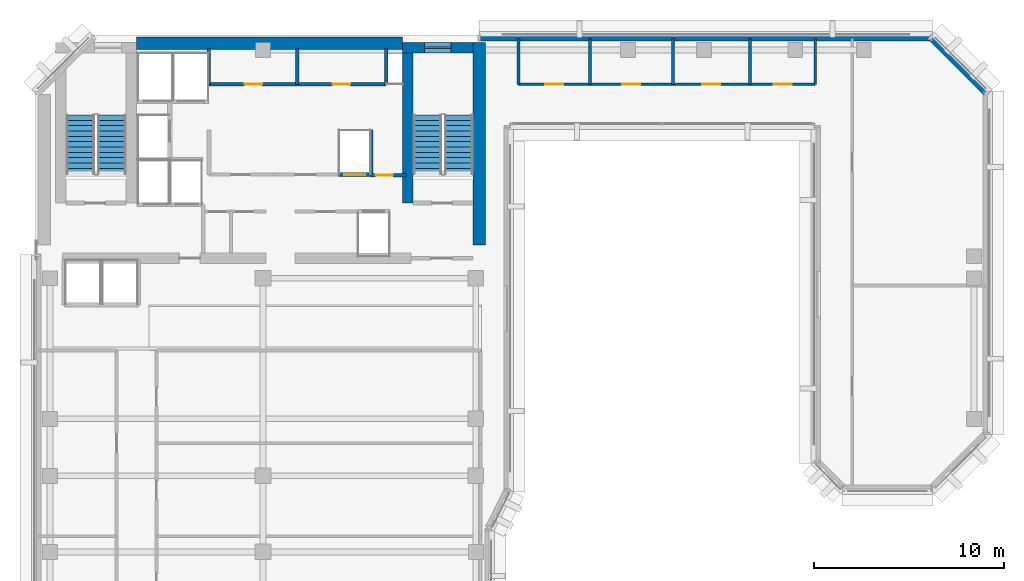
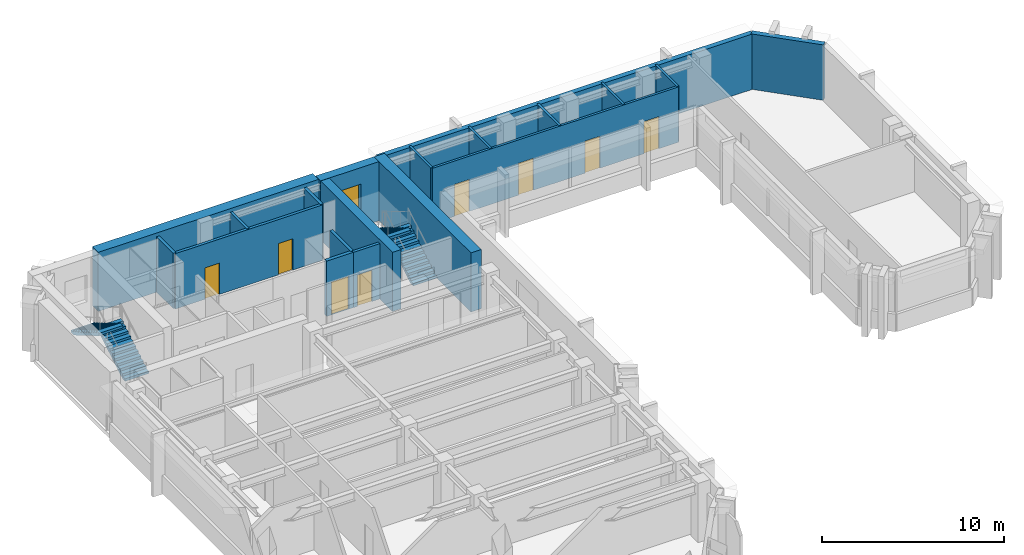
# One storey, part 7 of 11: 19 walls, 8 doors, 4 stair flights, 1 window, 9 openings, 2 elements without a shape of their own.
"""IFC4 building model written with IfcOpenShell, lengths in metres."""

from ifc_helpers import new_model, si_unit, direction, frame, frame_2d, origin, place, context, subcontext, project, spatial, polyline, rectangle, outline, extrude, material, layer, layer_set, type_object, element, fill, aggregate, save


model = new_model("IFC4")

# Units and contexts
model_context = context("Model", 3, precision=1e-05, world=origin(), true_north=direction((0.0, 1.0)))
body_context = subcontext(model_context, "Body", "Model", "MODEL_VIEW")
ifc_project = project(units=[si_unit("LENGTHUNIT", "METRE"), si_unit("AREAUNIT", "SQUARE_METRE"), si_unit("VOLUMEUNIT", "CUBIC_METRE"), si_unit("PLANEANGLEUNIT", "RADIAN"), si_unit("MASSUNIT", "GRAM", prefix="KILO")], contexts=[model_context])

# Site, building, storey
site_placement = place(None, origin())
site = spatial("IfcSite", under=ifc_project, at=site_placement, CompositionType="ELEMENT")
building_placement = place(site_placement, origin())
building = spatial("IfcBuilding", under=site, at=building_placement, Name="Kefirva Bronze Tower", CompositionType="ELEMENT")
storey_placement = place(building_placement, frame((0.0, 0.0, 231.659912109375)))
storey = spatial("IfcBuildingStorey", under=building, at=storey_placement, Name="L56", CompositionType="ELEMENT", Elevation=231.659912109375)

# Wall, openings, doors
ifc_material_1 = material(Name="Gypsum acoustic partition")
ifc_layer_1 = layer(ifc_material_1, 0.14990234375, Name="Gypsum acoustic partition")
ifc_layer_set_1 = layer_set([ifc_layer_1], Name="Gypsum acoustic partition")
wall_type_1 = type_object("IfcWallType", Name="Executive Suite Partition 150mm", PredefinedType="PARTITIONING", material=ifc_layer_set_1)
wall_1_placement = place(storey_placement, frame((25.449951171875, 43.39990234375, 0.0), z_axis=(0.0, 0.0, 1.0), x_axis=(1.0, 0.0, 0.0)))
wall_1 = element("IfcWall", 1, at=wall_1_placement, inside=storey, type_object=wall_type_1, Name="L56 Partition W-L56-PBRGN", PredefinedType="PARTITIONING", context=body_context, shape_type="SweptSolid", body=[
    extrude(rectangle(XDim=15.60009765625, YDim=0.14990234375, at=frame_2d((7.800048828125, 0.0))), origin(), (0.0, 0.0, 1.0), 3.710205078125),
])
opening_1_placement = place(wall_1_placement, frame((1.39697265625, 0.0, 0.0)))
opening_1 = element("IfcOpeningElement", 2, at=opening_1_placement, cuts=wall_1, Name="Opening L56-D-PBN1", PredefinedType="OPENING", context=body_context, shape_type="SweptSolid", body=[
    extrude(rectangle(XDim=0.949951171875, YDim=2.14990234375, at=frame_2d((0.47509765625, 1.074951171875))), frame((0.0, 0.0849609375, 0.0), z_axis=(0.0, -1.0, 0.0), x_axis=(1.0, 0.0, 0.0)), (0.0, 0.0, 1.0), 0.169921875),
])
opening_2_placement = place(wall_1_placement, frame((5.452880859375, 0.0, 0.0)))
opening_2 = element("IfcOpeningElement", 3, at=opening_2_placement, cuts=wall_1, Name="Opening L56-D-PBN2", PredefinedType="OPENING", context=body_context, shape_type="SweptSolid", body=[
    extrude(rectangle(XDim=0.949951171875, YDim=2.14990234375, at=frame_2d((0.47509765625, 1.074951171875))), frame((0.0, 0.0849609375, 0.0), z_axis=(0.0, -1.0, 0.0), x_axis=(1.0, 0.0, 0.0)), (0.0, 0.0, 1.0), 0.169921875),
])
opening_3_placement = place(wall_1_placement, frame((9.6650390625, 0.0, 0.0)))
opening_3 = element("IfcOpeningElement", 4, at=opening_3_placement, cuts=wall_1, Name="Opening L56-D-PBN3", PredefinedType="OPENING", context=body_context, shape_type="SweptSolid", body=[
    extrude(rectangle(XDim=0.949951171875, YDim=2.14990234375, at=frame_2d((0.47509765625, 1.074951171875))), frame((0.0, 0.0849609375, 0.0), z_axis=(0.0, -1.0, 0.0), x_axis=(1.0, 0.0, 0.0)), (0.0, 0.0, 1.0), 0.169921875),
])
opening_4_placement = place(wall_1_placement, frame((13.408935546875, 0.0, 0.0)))
opening_4 = element("IfcOpeningElement", 5, at=opening_4_placement, cuts=wall_1, Name="Opening L56-D-PBN4", PredefinedType="OPENING", context=body_context, shape_type="SweptSolid", body=[
    extrude(rectangle(XDim=0.949951171875, YDim=2.14990234375, at=frame_2d((0.47509765625, 1.074951171875))), frame((0.0, 0.0849609375, 0.0), z_axis=(0.0, -1.0, 0.0), x_axis=(1.0, 0.0, 0.0)), (0.0, 0.0, 1.0), 0.169921875),
])
ifc_material_2 = material(Name="Acoustic hardwood oak", Category="wood")
door_type_1 = type_object("IfcDoorType", Name="Office & Meeting Room Door 950x2150", OperationType="NOTDEFINED", PredefinedType="DOOR", material=ifc_material_2)
door_1_placement = place(opening_1_placement, origin())
door_1 = element("IfcDoor", 6, at=door_1_placement, inside=storey, type_object=door_type_1, Name="Door L56-D-PBN1", OperationType="SINGLE_SWING_LEFT", OverallHeight=2.14990234375, OverallWidth=0.949951171875, PredefinedType="DOOR", context=body_context, shape_type="SweptSolid", body=[
    extrude(rectangle(XDim=0.949951171875, YDim=2.14990234375, at=frame_2d((0.47509765625, 1.074951171875))), frame((0.0, 0.02490234375, 0.0), z_axis=(0.0, -1.0, 0.0), x_axis=(1.0, 0.0, 0.0)), (0.0, 0.0, 1.0), 0.050048828125),
])
fill(opening_1, door_1)
door_2_placement = place(opening_2_placement, origin())
door_2 = element("IfcDoor", 7, at=door_2_placement, inside=storey, type_object=door_type_1, Name="Door L56-D-PBN2", OperationType="SINGLE_SWING_RIGHT", OverallHeight=2.14990234375, OverallWidth=0.949951171875, PredefinedType="DOOR", context=body_context, shape_type="SweptSolid", body=[
    extrude(rectangle(XDim=0.949951171875, YDim=2.14990234375, at=frame_2d((0.47509765625, 1.074951171875))), frame((0.0, 0.02490234375, 0.0), z_axis=(0.0, -1.0, 0.0), x_axis=(1.0, 0.0, 0.0)), (0.0, 0.0, 1.0), 0.050048828125),
])
fill(opening_2, door_2)
door_3_placement = place(opening_3_placement, origin())
door_3 = element("IfcDoor", 8, at=door_3_placement, inside=storey, type_object=door_type_1, Name="Door L56-D-PBN3", OperationType="SINGLE_SWING_LEFT", OverallHeight=2.14990234375, OverallWidth=0.949951171875, PredefinedType="DOOR", context=body_context, shape_type="SweptSolid", body=[
    extrude(rectangle(XDim=0.949951171875, YDim=2.14990234375, at=frame_2d((0.47509765625, 1.074951171875))), frame((0.0, 0.02490234375, 0.0), z_axis=(0.0, -1.0, 0.0), x_axis=(1.0, 0.0, 0.0)), (0.0, 0.0, 1.0), 0.050048828125),
])
fill(opening_3, door_3)
door_4_placement = place(opening_4_placement, origin())
door_4 = element("IfcDoor", 9, at=door_4_placement, inside=storey, type_object=door_type_1, Name="Door L56-D-PBN4", OperationType="SINGLE_SWING_RIGHT", OverallHeight=2.14990234375, OverallWidth=0.949951171875, PredefinedType="DOOR", context=body_context, shape_type="SweptSolid", body=[
    extrude(rectangle(XDim=0.949951171875, YDim=2.14990234375, at=frame_2d((0.47509765625, 1.074951171875))), frame((0.0, 0.02490234375, 0.0), z_axis=(0.0, -1.0, 0.0), x_axis=(1.0, 0.0, 0.0)), (0.0, 0.0, 1.0), 0.050048828125),
])
fill(opening_4, door_4)

# Walls
for number, where, z_axis, x_axis, name in (
    (10, (25.449951171875, 43.39990234375, 0.0), (0.0, 0.0, 1.0), (0.0, 1.0, 0.0), "L56 Partition W-L56-PBRGW"),
    (11, (41.050048828125, 43.39990234375, 0.0), (0.0, 0.0, 1.0), (0.0, 1.0, 0.0), "L56 Partition W-L56-PBRGE"),
    (12, (29.194091796875, 43.39990234375, 0.0), (0.0, 0.0, 1.0), (0.0, 1.0, 0.0), "L56 Partition W-L56-PBND1"),
    (13, (33.56201171875, 43.39990234375, 0.0), (0.0, 0.0, 1.0), (0.0, 1.0, 0.0), "L56 Partition W-L56-PBND2"),
    (14, (37.617919921875, 43.39990234375, 0.0), (0.0, 0.0, 1.0), (0.0, 1.0, 0.0), "L56 Partition W-L56-PBND3"),
):
    element("IfcWall", number, at=place(storey_placement, frame(where, z_axis=z_axis, x_axis=x_axis)), inside=storey, type_object=wall_type_1, Name=name, PredefinedType="PARTITIONING", context=body_context, shape_type="SweptSolid", body=[
        extrude(rectangle(XDim=2.41015625, YDim=0.14990234375, at=frame_2d((1.205078125, 0.0))), origin(), (0.0, 0.0, 1.0), 3.710205078125),
    ])
ifc_material_3 = material(Name="Gypsum fireboard shaftwall")
ifc_layer_2 = layer(ifc_material_3, 0.219970703125, Name="Gypsum fireboard shaftwall")
ifc_layer_set_2 = layer_set([ifc_layer_2], Name="Gypsum fireboard shaftwall")
wall_type_2 = type_object("IfcWallType", Name="Fire-Rated Shaft Enclosure Wall 220mm", PredefinedType="PARTITIONING", material=ifc_layer_set_2)
wall_2_placement = place(storey_placement, frame((17.679931640625, 38.64990234375, 0.0), z_axis=(0.0, 0.0, 1.0), x_axis=(0.0, 1.0, 0.0)))
element("IfcWall", 15, at=wall_2_placement, inside=storey, type_object=wall_type_2, Name="L56 Partition W-L56-HP2E", PredefinedType="PARTITIONING", context=body_context, shape_type="SweptSolid", body=[
    extrude(rectangle(XDim=2.35009765625, YDim=0.199951171875, at=frame_2d((1.175048828125, 0.0))), origin(), (0.0, 0.0, 1.0), 3.710205078125),
])

# Wall, opening, door
wall_3_placement = place(storey_placement, frame((15.97998046875, 38.64990234375, 0.0), z_axis=(0.0, 0.0, 1.0), x_axis=(1.0, 0.0, 0.0)))
wall_3 = element("IfcWall", 16, at=wall_3_placement, inside=storey, type_object=wall_type_2, Name="L56 Partition W-L56-HPN", PredefinedType="PARTITIONING", context=body_context, shape_type="SweptSolid", body=[
    extrude(rectangle(XDim=1.719970703125, YDim=0.219970703125, at=frame_2d((0.85986328125, 0.0))), origin(), (0.0, 0.0, 1.0), 3.710205078125),
])
opening_5_placement = place(wall_3_placement, frame((0.300048828125, 0.0, 0.0)))
opening_5 = element("IfcOpeningElement", 17, at=opening_5_placement, cuts=wall_3, Name="Opening L56-LD-HP2", PredefinedType="OPENING", context=body_context, shape_type="SweptSolid", body=[
    extrude(rectangle(XDim=1.10009765625, YDim=2.199951171875, at=frame_2d((0.550048828125, 1.10009765625))), frame((0.0, 0.1201171875, 0.0), z_axis=(0.0, -1.0, 0.0), x_axis=(1.0, 0.0, 0.0)), (0.0, 0.0, 1.0), 0.239990234375),
])
ifc_material_4 = material(Name="Stainless steel 316", Category="steel")
door_type_2 = type_object("IfcDoorType", Name="Passenger Lift Sliding Landing Door 1100x2200", OperationType="SLIDING_TO_LEFT", PredefinedType="DOOR", material=ifc_material_4)
door_5_placement = place(opening_5_placement, origin())
door_5 = element("IfcDoor", 18, at=door_5_placement, inside=storey, type_object=door_type_2, Name="Door L56-LD-HP2", OperationType="SLIDING_TO_LEFT", OverallHeight=2.199951171875, OverallWidth=1.10009765625, PredefinedType="DOOR", context=body_context, shape_type="SweptSolid", body=[
    extrude(rectangle(XDim=1.10009765625, YDim=2.199951171875, at=frame_2d((0.550048828125, 1.10009765625))), frame((0.0, 0.02490234375, 0.0), z_axis=(0.0, -1.0, 0.0), x_axis=(1.0, 0.0, 0.0)), (0.0, 0.0, 1.0), 0.050048828125),
])
fill(opening_5, door_5)

ifc_material_5 = material(Name="Gypsum fireboard barrier")
ifc_layer_3 = layer(ifc_material_5, 0.199951171875, Name="Gypsum fireboard barrier")
ifc_layer_set_3 = layer_set([ifc_layer_3], Name="Gypsum fireboard barrier")
wall_type_3 = type_object("IfcWallType", Name="Firefighting Lobby Barrier Wall 200mm", PredefinedType="PARTITIONING", material=ifc_layer_set_3)
wall_4_placement = place(storey_placement, frame((17.679931640625, 38.6201171875, 0.0), z_axis=(0.0, 0.0, 1.0), x_axis=(1.0, 0.0, 0.0)))
wall_4 = element("IfcWall", 19, at=wall_4_placement, inside=storey, type_object=wall_type_3, Name="L56 Partition W-L56-CPASS", PredefinedType="PARTITIONING", context=body_context, shape_type="SweptSolid", body=[
    extrude(rectangle(XDim=1.840087890625, YDim=0.179931640625, at=frame_2d((0.919921875, 0.0))), origin(), (0.0, 0.0, 1.0), 3.710205078125),
])
opening_6_placement = place(wall_4_placement, frame((0.239990234375, 0.0, 0.0)))
opening_6 = element("IfcOpeningElement", 20, at=opening_6_placement, cuts=wall_4, Name="Opening L56-D-CPAS", PredefinedType="OPENING", context=body_context, shape_type="SweptSolid", body=[
    extrude(rectangle(XDim=0.919921875, YDim=2.10009765625, at=frame_2d((0.4599609375, 1.050048828125))), frame((0.0, 0.10009765625, 0.0), z_axis=(0.0, -1.0, 0.0), x_axis=(1.0, 0.0, 0.0)), (0.0, 0.0, 1.0), 0.199951171875),
])
ifc_material_6 = material(Name="Moisture-resistant timber", Category="wood")
door_type_3 = type_object("IfcDoorType", Name="Accessible Sanitary & WC Door 920x2100", OperationType="NOTDEFINED", PredefinedType="DOOR", material=ifc_material_6)
door_6_placement = place(opening_6_placement, origin())
door_6 = element("IfcDoor", 21, at=door_6_placement, inside=storey, type_object=door_type_3, Name="Door L56-D-CPAS", OperationType="SINGLE_SWING_RIGHT", OverallHeight=2.10009765625, OverallWidth=0.919921875, PredefinedType="DOOR", context=body_context, shape_type="SweptSolid", body=[
    extrude(rectangle(XDim=0.919921875, YDim=2.10009765625, at=frame_2d((0.4599609375, 1.050048828125))), frame((0.0, 0.02490234375, 0.0), z_axis=(0.0, -1.0, 0.0), x_axis=(1.0, 0.0, 0.0)), (0.0, 0.0, 1.0), 0.050048828125),
])
fill(opening_6, door_6)

# Walls
ifc_material_7 = material(Name="Precast concrete C40/50", Category="concrete")
ifc_layer_4 = layer(ifc_material_7, 0.320068359375, Name="Precast concrete C40/50")
ifc_layer_set_4 = layer_set([ifc_layer_4], Name="Precast concrete C40/50")
wall_type_4 = type_object("IfcWallType", Name="Precast Insulated Exterior Wall 320mm", PredefinedType="SOLIDWALL", material=ifc_layer_set_4)
wall_5_placement = place(storey_placement, frame((50.048095703125, 42.92578125, 0.0), z_axis=(0.0, 0.0, 1.0), x_axis=(-0.707136318428, 0.707077242712, 0.0)))
element("IfcWall", 22, at=wall_5_placement, inside=storey, type_object=wall_type_4, Name="L56 Exterior Facade Wall 10", PredefinedType="SOLIDWALL", context=body_context, shape_type="SweptSolid", body=[
    extrude(rectangle(XDim=4.132568359375, YDim=0.320068359375, at=frame_2d((2.06640625, 0.0))), origin(), (0.0, 0.0, 1.0), 3.710205078125),
])
wall_6_placement = place(storey_placement, frame((47.14501953125, 45.840087890625, 0.0), z_axis=(0.0, 0.0, 1.0), x_axis=(-1.0, 0.0, 0.0)))
element("IfcWall", 23, at=wall_6_placement, inside=storey, type_object=wall_type_4, Name="L56 Exterior Facade Wall 11", PredefinedType="SOLIDWALL", context=body_context, shape_type="SweptSolid", body=[
    extrude(rectangle(XDim=23.739990234375, YDim=0.320068359375, at=frame_2d((11.8701171875, 0.0))), origin(), (0.0, 0.0, 1.0), 3.710205078125),
])

# Wall, opening, window
ifc_material_8 = material(Name="Concrete C50/60", Category="concrete")
ifc_layer_5 = layer(ifc_material_8, 0.550048828125, Name="Concrete C50/60")
ifc_layer_set_5 = layer_set([ifc_layer_5], Name="Concrete C50/60")
wall_type_5 = type_object("IfcWallType", Name="RC Rear Core Exterior Wall 550mm", PredefinedType="SHEAR", material=ifc_layer_set_5)
wall_7_placement = place(storey_placement, frame((19.35009765625, 45.320068359375, 0.0), z_axis=(0.0, 0.0, 1.0), x_axis=(1.0, 0.0, 0.0)))
wall_7 = element("IfcWall", 24, at=wall_7_placement, inside=storey, type_object=wall_type_5, Name="L56 Stair 2 North Shear Wall", PredefinedType="SHEAR", context=body_context, shape_type="SweptSolid", body=[
    extrude(rectangle(XDim=3.68994140625, YDim=0.550048828125, at=frame_2d((1.844970703125, 0.0))), origin(), (0.0, 0.0, 1.0), 3.960205078125),
])
opening_7_placement = place(wall_7_placement, frame((1.14990234375, 0.0, 1.050048828125)))
opening_7 = element("IfcOpeningElement", 25, at=opening_7_placement, cuts=wall_7, Name="Opening WN-03", PredefinedType="OPENING", context=body_context, shape_type="SweptSolid", body=[
    extrude(rectangle(XDim=1.39990234375, YDim=1.800048828125, at=frame_2d((0.699951171875, 0.89990234375))), frame((0.0, 0.28515625, 0.0), z_axis=(0.0, -1.0, 0.0), x_axis=(1.0, 0.0, 0.0)), (0.0, 0.0, 1.0), 0.570068359375),
])
ifc_material_9 = material(Name="Laminated low-E double glazing", Category="glass")
window_type = type_object("IfcWindowType", Name="Rear-Core Stair Daylight Window 1400x1800", PartitioningType="SINGLE_PANEL", PredefinedType="WINDOW", material=ifc_material_9)
window_placement = place(opening_7_placement, origin())
window = element("IfcWindow", 26, at=window_placement, inside=storey, type_object=window_type, Name="L56 Stair 2 Daylight Window", OverallHeight=1.800048828125, OverallWidth=1.39990234375, PartitioningType="SINGLE_PANEL", PredefinedType="WINDOW", context=body_context, shape_type="SweptSolid", body=[
    extrude(rectangle(XDim=1.39990234375, YDim=1.800048828125, at=frame_2d((0.699951171875, 0.89990234375))), frame((0.0, 0.030029296875, 0.0), z_axis=(0.0, -1.0, 0.0), x_axis=(1.0, 0.0, 0.0)), (0.0, 0.0, 1.0), 0.06005859375),
])
fill(opening_7, window)

# Walls
ifc_layer_6 = layer(ifc_material_8, 0.64990234375, Name="Concrete C50/60")
ifc_layer_set_6 = layer_set([ifc_layer_6], Name="Concrete C50/60")
wall_type_6 = type_object("IfcWallType", Name="RC Rear Core Exterior Wall 650mm", PredefinedType="SHEAR", material=ifc_layer_set_6)
wall_8_placement = place(storey_placement, frame((5.360107421875, 45.550048828125, 0.0), z_axis=(0.0, 0.0, 1.0), x_axis=(1.0, 0.0, 0.0)))
element("IfcWall", 27, at=wall_8_placement, inside=storey, type_object=wall_type_6, Name="L56 Rear Core North Shear Wall", PredefinedType="SHEAR", context=body_context, shape_type="SweptSolid", body=[
    extrude(rectangle(XDim=13.97998046875, YDim=0.64990234375, at=frame_2d((6.989990234375, 0.0))), origin(), (0.0, 0.0, 1.0), 3.960205078125),
])
ifc_layer_7 = layer(ifc_material_8, 0.550048828125, Name="Concrete C50/60")
ifc_layer_set_7 = layer_set([ifc_layer_7], Name="Concrete C50/60")
wall_type_7 = type_object("IfcWallType", Name="RC Rear Core Interior Wall 550mm", PredefinedType="SHEAR", material=ifc_layer_set_7)
wall_9_placement = place(storey_placement, frame((19.6201171875, 37.14990234375, 0.0), z_axis=(0.0, 0.0, 1.0), x_axis=(0.0, 1.0, 0.0)))
element("IfcWall", 28, at=wall_9_placement, inside=storey, type_object=wall_type_7, Name="L56 Stair 2 West Shear Wall", PredefinedType="SHEAR", context=body_context, shape_type="SweptSolid", body=[
    extrude(rectangle(XDim=7.89013671875, YDim=0.550048828125, at=frame_2d((3.945068359375, 0.0))), origin(), (0.0, 0.0, 1.0), 3.960205078125),
])
ifc_layer_8 = layer(ifc_material_8, 0.64990234375, Name="Concrete C50/60")
ifc_layer_set_8 = layer_set([ifc_layer_8], Name="Concrete C50/60")
wall_type_8 = type_object("IfcWallType", Name="RC Rear Core Interior Wall 650mm", PredefinedType="SHEAR", material=ifc_layer_set_8)
wall_10_placement = place(storey_placement, frame((23.375, 34.949951171875, 0.0), z_axis=(0.0, 0.0, 1.0), x_axis=(0.0, 1.0, 0.0)))
element("IfcWall", 29, at=wall_10_placement, inside=storey, type_object=wall_type_8, Name="L56 Rear Core East Shear Wall", PredefinedType="SHEAR", context=body_context, shape_type="SweptSolid", body=[
    extrude(rectangle(XDim=10.64013671875, YDim=0.64990234375, at=frame_2d((5.320068359375, 0.0))), origin(), (0.0, 0.0, 1.0), 3.960205078125),
])

# Wall, openings, doors
ifc_material_10 = material(Name="Moisture-resistant partition")
ifc_layer_9 = layer(ifc_material_10, 0.179931640625, Name="Moisture-resistant partition")
ifc_layer_set_9 = layer_set([ifc_layer_9], Name="Moisture-resistant partition")
wall_type_9 = type_object("IfcWallType", Name="Sanitary Plumbing Chase Wall 180mm", PredefinedType="PLUMBINGWALL", material=ifc_layer_set_9)
wall_11_placement = place(storey_placement, frame((9.14990234375, 43.39990234375, 0.0), z_axis=(0.0, 0.0, 1.0), x_axis=(1.0, 0.0, 0.0)))
wall_11 = element("IfcWall", 30, at=wall_11_placement, inside=storey, type_object=wall_type_9, Name="L56 Partition W-L56-SVCS", PredefinedType="PLUMBINGWALL", context=body_context, shape_type="SweptSolid", body=[
    extrude(rectangle(XDim=9.330078125, YDim=0.179931640625, at=frame_2d((4.6650390625, 0.0))), origin(), (0.0, 0.0, 1.0), 3.710205078125),
])
opening_8_placement = place(wall_11_placement, frame((1.8798828125, 0.0, 0.0)))
opening_8 = element("IfcOpeningElement", 31, at=opening_8_placement, cuts=wall_11, Name="Opening L56-D-CSVC1", PredefinedType="OPENING", context=body_context, shape_type="SweptSolid", body=[
    extrude(rectangle(XDim=0.919921875, YDim=2.10009765625, at=frame_2d((0.4599609375, 1.050048828125))), frame((0.0, 0.10009765625, 0.0), z_axis=(0.0, -1.0, 0.0), x_axis=(1.0, 0.0, 0.0)), (0.0, 0.0, 1.0), 0.199951171875),
])
opening_9_placement = place(wall_11_placement, frame((6.514892578125, 0.0, 0.0)))
opening_9 = element("IfcOpeningElement", 32, at=opening_9_placement, cuts=wall_11, Name="Opening L56-D-CSVC2", PredefinedType="OPENING", context=body_context, shape_type="SweptSolid", body=[
    extrude(rectangle(XDim=0.919921875, YDim=2.10009765625, at=frame_2d((0.4599609375, 1.050048828125))), frame((0.0, 0.10009765625, 0.0), z_axis=(0.0, -1.0, 0.0), x_axis=(1.0, 0.0, 0.0)), (0.0, 0.0, 1.0), 0.199951171875),
])
door_7_placement = place(opening_8_placement, origin())
door_7 = element("IfcDoor", 33, at=door_7_placement, inside=storey, type_object=door_type_3, Name="Door L56-D-CSVC1", OperationType="SINGLE_SWING_RIGHT", OverallHeight=2.10009765625, OverallWidth=0.919921875, PredefinedType="DOOR", context=body_context, shape_type="SweptSolid", body=[
    extrude(rectangle(XDim=0.919921875, YDim=2.10009765625, at=frame_2d((0.4599609375, 1.050048828125))), frame((0.0, 0.02490234375, 0.0), z_axis=(0.0, -1.0, 0.0), x_axis=(1.0, 0.0, 0.0)), (0.0, 0.0, 1.0), 0.050048828125),
])
fill(opening_8, door_7)
door_8_placement = place(opening_9_placement, origin())
door_8 = element("IfcDoor", 34, at=door_8_placement, inside=storey, type_object=door_type_3, Name="Door L56-D-CSVC2", OperationType="SINGLE_SWING_LEFT", OverallHeight=2.10009765625, OverallWidth=0.919921875, PredefinedType="DOOR", context=body_context, shape_type="SweptSolid", body=[
    extrude(rectangle(XDim=0.919921875, YDim=2.10009765625, at=frame_2d((0.4599609375, 1.050048828125))), frame((0.0, 0.02490234375, 0.0), z_axis=(0.0, -1.0, 0.0), x_axis=(1.0, 0.0, 0.0)), (0.0, 0.0, 1.0), 0.050048828125),
])
fill(opening_9, door_8)

# Walls
for number, where, z_axis, x_axis, name in (
    (35, (9.14990234375, 43.39990234375, 0.0), (0.0, 0.0, 1.0), (0.0, 1.0, 0.0), "L56 Partition W-L56-SVCW"),
    (36, (18.47998046875, 43.39990234375, 0.0), (0.0, 0.0, 1.0), (0.0, 1.0, 0.0), "L56 Partition W-L56-SVCE"),
    (37, (13.800048828125, 43.39990234375, 0.0), (0.0, 0.0, 1.0), (0.0, 1.0, 0.0), "L56 Partition W-L56-CSVD-1"),
):
    element("IfcWall", number, at=place(storey_placement, frame(where, z_axis=z_axis, x_axis=x_axis)), inside=storey, type_object=wall_type_9, Name=name, PredefinedType="PLUMBINGWALL", context=body_context, shape_type="SweptSolid", body=[
        extrude(rectangle(XDim=1.880126953125, YDim=0.179931640625, at=frame_2d((0.93994140625, 0.0))), origin(), (0.0, 0.0, 1.0), 3.710205078125),
    ])

# Stair, stair flights
ifc_material_11 = material(Name="Concrete C40/50", Category="concrete")
stair_type = type_object("IfcStairType", Name="RC Dogleg Protected Stair 24R", PredefinedType="HALF_TURN_STAIR", material=ifc_material_11)
stair_1_placement = place(storey_placement, origin())
stair_1 = element("IfcStair", 38, at=stair_1_placement, inside=storey, type_object=stair_type, Name="L56 Protected Exit Stair 1", PredefinedType="HALF_TURN_STAIR")
stair_flight_type = type_object("IfcStairFlightType", Name="RC Straight Stair Flight 24R", PredefinedType="STRAIGHT", material=ifc_material_11)
stair_flight_1_placement = place(storey_placement, frame((4.050048828125, 38.699951171875, 0.0), z_axis=(0.0, 0.0, 1.0), x_axis=(0.0, 1.0, 0.0)))
stair_flight_1 = element("IfcStairFlight", 39, at=stair_flight_1_placement, type_object=stair_flight_type, Name="ST-1 flight 1", NumberOfRisers=12, NumberOfTreads=11, PredefinedType="STRAIGHT", RiserHeight=0.165, TreadLength=0.28, context=body_context, shape_type="SweptSolid", body=[
    extrude(outline(polyline([(0.0, 0.0), (0.0, 0.1650390625), (0.280029296875, 0.1650390625), (0.280029296875, 0.330078125), (0.56005859375, 0.330078125), (0.56005859375, 0.4951171875), (0.840087890625, 0.4951171875), (0.840087890625, 0.659912109375), (1.1201171875, 0.659912109375), (1.1201171875, 0.824951171875), (1.39990234375, 0.824951171875), (1.39990234375, 0.989990234375), (1.679931640625, 0.989990234375), (1.679931640625, 1.155029296875), (1.9599609375, 1.155029296875), (1.9599609375, 1.320068359375), (2.239990234375, 1.320068359375), (2.239990234375, 1.485107421875), (2.52001953125, 1.485107421875), (2.52001953125, 1.64990234375), (2.800048828125, 1.64990234375), (2.800048828125, 1.81494140625), (3.080078125, 1.81494140625), (3.080078125, 1.97998046875), (3.080078125, 1.64111328125), (0.295166015625, 0.0), (0.0, 0.0)])), frame((0.0, 0.75, 0.0), z_axis=(0.0, -1.0, 0.0), x_axis=(1.0, 0.0, 0.0)), (0.0, 0.0, 1.0), 1.5),
])
stair_flight_2_placement = place(storey_placement, frame((2.39990234375, 41.780029296875, 1.97998046875), z_axis=(0.0, 0.0, 1.0), x_axis=(0.0, -1.0, 0.0)))
stair_flight_2 = element("IfcStairFlight", 40, at=stair_flight_2_placement, type_object=stair_flight_type, Name="ST-1 flight 2", NumberOfRisers=12, NumberOfTreads=11, PredefinedType="STRAIGHT", RiserHeight=0.165, TreadLength=0.28, context=body_context, shape_type="SweptSolid", body=[
    extrude(outline(polyline([(0.0, 0.0), (0.0, 0.1650390625), (0.280029296875, 0.1650390625), (0.280029296875, 0.330078125), (0.56005859375, 0.330078125), (0.56005859375, 0.4951171875), (0.840087890625, 0.4951171875), (0.840087890625, 0.659912109375), (1.1201171875, 0.659912109375), (1.1201171875, 0.824951171875), (1.39990234375, 0.824951171875), (1.39990234375, 0.989990234375), (1.679931640625, 0.989990234375), (1.679931640625, 1.155029296875), (1.9599609375, 1.155029296875), (1.9599609375, 1.320068359375), (2.239990234375, 1.320068359375), (2.239990234375, 1.485107421875), (2.52001953125, 1.485107421875), (2.52001953125, 1.64990234375), (2.800048828125, 1.64990234375), (2.800048828125, 1.81494140625), (3.080078125, 1.81494140625), (3.080078125, 1.97998046875), (3.080078125, 1.64111328125), (0.295166015625, 0.0), (0.0, 0.0)])), frame((0.0, 0.75, 0.0), z_axis=(0.0, -1.0, 0.0), x_axis=(1.0, 0.0, 0.0)), (0.0, 0.0, 1.0), 1.5),
])
aggregate(stair_1, [stair_flight_1, stair_flight_2])

stair_2_placement = place(storey_placement, origin())
stair_2 = element("IfcStair", 41, at=stair_2_placement, inside=storey, type_object=stair_type, Name="L56 Protected Exit Stair 2", PredefinedType="HALF_TURN_STAIR")
stair_flight_3_placement = place(storey_placement, frame((22.300048828125, 38.699951171875, 0.0), z_axis=(0.0, 0.0, 1.0), x_axis=(0.0, 1.0, 0.0)))
stair_flight_3 = element("IfcStairFlight", 42, at=stair_flight_3_placement, type_object=stair_flight_type, Name="ST-2 flight 1", NumberOfRisers=12, NumberOfTreads=11, PredefinedType="STRAIGHT", RiserHeight=0.165, TreadLength=0.28, context=body_context, shape_type="SweptSolid", body=[
    extrude(outline(polyline([(0.0, 0.0), (0.0, 0.1650390625), (0.280029296875, 0.1650390625), (0.280029296875, 0.330078125), (0.56005859375, 0.330078125), (0.56005859375, 0.4951171875), (0.840087890625, 0.4951171875), (0.840087890625, 0.659912109375), (1.1201171875, 0.659912109375), (1.1201171875, 0.824951171875), (1.39990234375, 0.824951171875), (1.39990234375, 0.989990234375), (1.679931640625, 0.989990234375), (1.679931640625, 1.155029296875), (1.9599609375, 1.155029296875), (1.9599609375, 1.320068359375), (2.239990234375, 1.320068359375), (2.239990234375, 1.485107421875), (2.52001953125, 1.485107421875), (2.52001953125, 1.64990234375), (2.800048828125, 1.64990234375), (2.800048828125, 1.81494140625), (3.080078125, 1.81494140625), (3.080078125, 1.97998046875), (3.080078125, 1.64111328125), (0.295166015625, 0.0), (0.0, 0.0)])), frame((0.0, 0.75, 0.0), z_axis=(0.0, -1.0, 0.0), x_axis=(1.0, 0.0, 0.0)), (0.0, 0.0, 1.0), 1.5),
])
stair_flight_4_placement = place(storey_placement, frame((20.64990234375, 41.780029296875, 1.97998046875), z_axis=(0.0, 0.0, 1.0), x_axis=(0.0, -1.0, 0.0)))
stair_flight_4 = element("IfcStairFlight", 43, at=stair_flight_4_placement, type_object=stair_flight_type, Name="ST-2 flight 2", NumberOfRisers=12, NumberOfTreads=11, PredefinedType="STRAIGHT", RiserHeight=0.165, TreadLength=0.28, context=body_context, shape_type="SweptSolid", body=[
    extrude(outline(polyline([(0.0, 0.0), (0.0, 0.1650390625), (0.280029296875, 0.1650390625), (0.280029296875, 0.330078125), (0.56005859375, 0.330078125), (0.56005859375, 0.4951171875), (0.840087890625, 0.4951171875), (0.840087890625, 0.659912109375), (1.1201171875, 0.659912109375), (1.1201171875, 0.824951171875), (1.39990234375, 0.824951171875), (1.39990234375, 0.989990234375), (1.679931640625, 0.989990234375), (1.679931640625, 1.155029296875), (1.9599609375, 1.155029296875), (1.9599609375, 1.320068359375), (2.239990234375, 1.320068359375), (2.239990234375, 1.485107421875), (2.52001953125, 1.485107421875), (2.52001953125, 1.64990234375), (2.800048828125, 1.64990234375), (2.800048828125, 1.81494140625), (3.080078125, 1.81494140625), (3.080078125, 1.97998046875), (3.080078125, 1.64111328125), (0.295166015625, 0.0), (0.0, 0.0)])), frame((0.0, 0.75, 0.0), z_axis=(0.0, -1.0, 0.0), x_axis=(1.0, 0.0, 0.0)), (0.0, 0.0, 1.0), 1.5),
])
aggregate(stair_2, [stair_flight_3, stair_flight_4])

save(model, "model.ifc")
